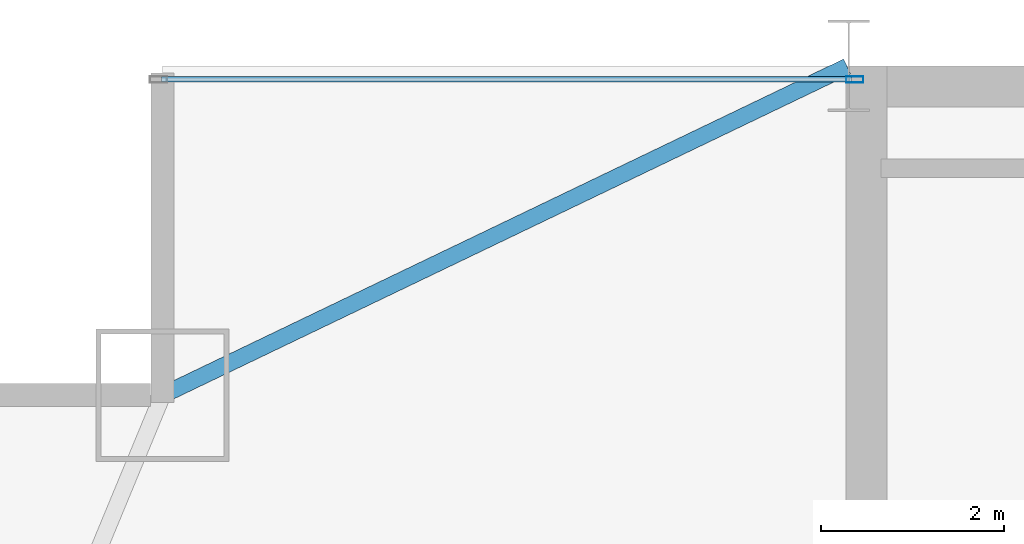
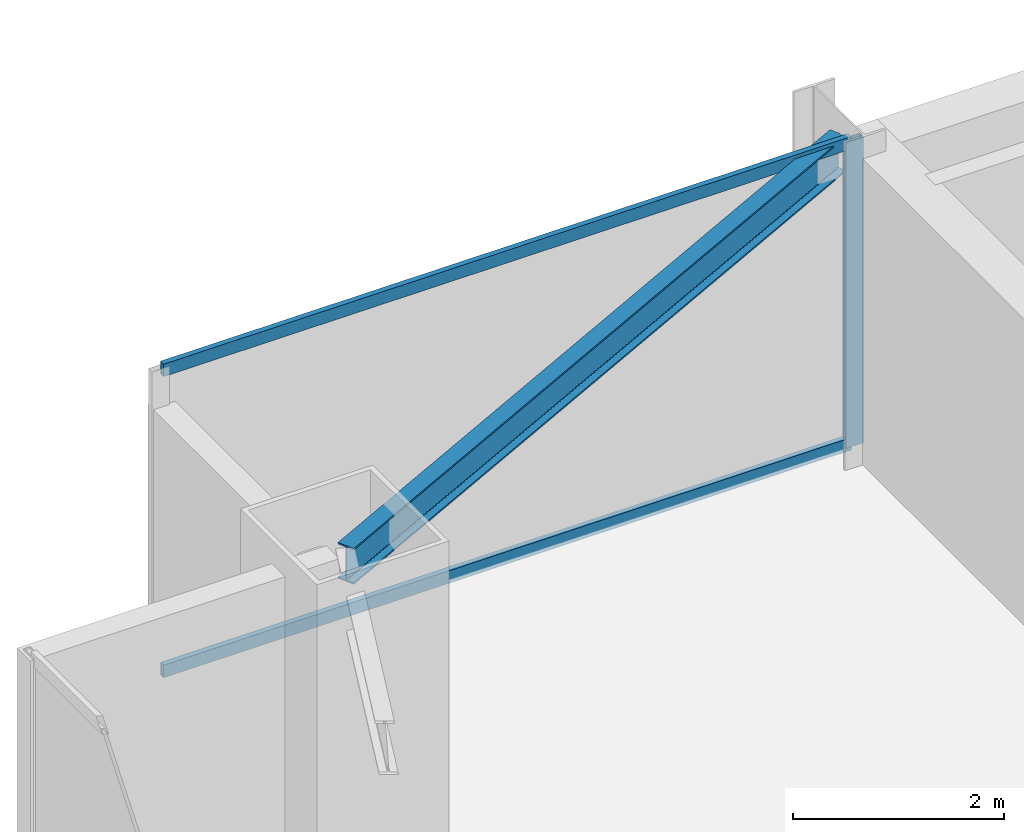
# One storey, part 22 of 33: 3 members, 1 beam, 1 element without a shape of its own.
"""IFC4 building model written with IfcOpenShell, lengths in metres."""

from ifc_helpers import new_model, si_unit, direction, frame, origin, origin_2d, place, context, subcontext, project, spatial, hollow_rectangle, i_section, extrude, source, transform, mapped, material, layer, layer_set, material_profile, profile_set, type_object, type_shapes, element, aggregate, save


model = new_model("IFC4")

# Units and contexts
model_context = context("Model", 3, precision=1e-05, world=origin(), true_north=direction((0.0, 1.0)))
body_context = subcontext(model_context, "Body", "Model", "MODEL_VIEW")
ifc_project = project(units=[si_unit("LENGTHUNIT", "METRE"), si_unit("AREAUNIT", "SQUARE_METRE"), si_unit("VOLUMEUNIT", "CUBIC_METRE"), si_unit("PLANEANGLEUNIT", "RADIAN"), si_unit("MASSUNIT", "GRAM", prefix="KILO")], contexts=[model_context])

# Site, building, storey
site_placement = place(None, origin())
site = spatial("IfcSite", under=ifc_project, at=site_placement, CompositionType="ELEMENT")
building_placement = place(site_placement, origin())
building = spatial("IfcBuilding", under=site, at=building_placement, Name="Varnel Quay Broadcast Tower", CompositionType="ELEMENT")
storey_placement = place(building_placement, frame((0.0, 0.0, 129.60009765625)))
storey = spatial("IfcBuildingStorey", under=building, at=storey_placement, Name="L31", CompositionType="ELEMENT", Elevation=129.60009765625)

# Beam
ifc_material_1 = material(Name="Structural Steel CSA G40.21 350W", Category="steel")
ifc_material_profile_1 = material_profile(ifc_material_1, i_section(OverallWidth=0.180908203125, OverallDepth=0.4169921875, WebThickness=0.010986328125, FlangeThickness=0.018310546875, FilletRadius=0.011962890625, at=origin_2d()), Name="W410X85")
ifc_profile_set_1 = profile_set([ifc_material_profile_1], Name="Structural Steel CSA G40.21 350W")
beam_type = type_object("IfcBeamType", Name="Beam_W410X85", PredefinedType="SPANDREL", material=ifc_profile_set_1)
shared_shape_1 = source(origin(), body_context, "Body", "SweptSolid", [
    extrude(i_section(OverallWidth=0.180908203125, OverallDepth=0.4169921875, WebThickness=0.010986328125, FlangeThickness=0.018310546875, FilletRadius=0.011962890625, at=origin_2d()), origin(), (0.0, 0.0, 1.0), 8.279296875),
])
type_shapes(beam_type, [shared_shape_1])
beam_placement = place(storey_placement, frame((8.117919921875, 43.208740234375, 3.34130859375), z_axis=(0.901535021024, 0.432706142626, 0.0), x_axis=(-0.432706142626, 0.901535021024, 0.0)))
element("IfcBeam", 1, at=beam_placement, inside=storey, type_object=beam_type, Name="L31 NW Tie Spandrel", PredefinedType="SPANDREL", context=body_context, shape_type="MappedRepresentation", body=[
    mapped(shared_shape_1, transform((0.0, 0.0, 0.0), x_axis=(1.0, 0.0, 0.0), y_axis=(0.0, 1.0, 0.0), z_axis=(0.0, 0.0, 1.0), scale=1.0)),
])

# Curtain wall, members
ifc_material_2 = material(Name="Anodised Bronze Aluminium 6063-T6", Category="aluminium")
ifc_layer = layer(ifc_material_2, 0.18994140625, Name="Anodised Bronze Aluminium 6063-T6")
ifc_layer_set = layer_set([ifc_layer], Name="Anodised Bronze Aluminium 6063-T6")
curtain_wall_type = type_object("IfcCurtainWallType", Name="CW_LowerTower", PredefinedType="NOTDEFINED", material=ifc_layer_set)
curtain_wall_placement = place(storey_placement, origin())
curtain_wall = element("IfcCurtainWall", 2, at=curtain_wall_placement, inside=storey, type_object=curtain_wall_type, Name="L31 NW Wing Curtain Wall", PredefinedType="NOTDEFINED")
ifc_material_profile_2 = material_profile(ifc_material_2, hollow_rectangle(XDim=0.06005859375, YDim=0.14501953125, WallThickness=0.00341796875, at=origin_2d()), Name="ALU60X145X3.5")
ifc_profile_set_2 = profile_set([ifc_material_profile_2], Name="Anodised Bronze Aluminium 6063-T6")
member_type_1 = type_object("IfcMemberType", Name="Tran_CWS-02", PredefinedType="USERDEFINED", material=ifc_profile_set_2)
shared_shape_2 = source(origin(), body_context, "Body", "SweptSolid", [
    extrude(hollow_rectangle(XDim=0.06005859375, YDim=0.14501953125, WallThickness=0.00341796875, at=origin_2d()), origin(), (0.0, 0.0, 1.0), 7.539794921875),
])
type_shapes(member_type_1, [shared_shape_2])
member_1_placement = place(storey_placement, frame((8.090087890625, 46.64990234375, 0.02978515625), z_axis=(1.0, 0.0, 0.0), x_axis=(0.0, 1.0, 0.0)))
member_1 = element("IfcMember", 3, at=member_1_placement, type_object=member_type_1, Name="CWS-02 transom 1.1", ObjectType="TRANSOM", PredefinedType="USERDEFINED", context=body_context, shape_type="MappedRepresentation", body=[
    mapped(shared_shape_2, transform((0.0, 0.0, 0.0), x_axis=(1.0, 0.0, 0.0), y_axis=(0.0, 1.0, 0.0), z_axis=(0.0, 0.0, 1.0), scale=1.0)),
])
member_2_placement = place(storey_placement, frame((8.090087890625, 46.64990234375, 3.52001953125), z_axis=(1.0, 0.0, 0.0), x_axis=(0.0, 1.0, 0.0)))
member_2 = element("IfcMember", 4, at=member_2_placement, type_object=member_type_1, Name="CWS-02 transom 1.2", ObjectType="TRANSOM", PredefinedType="USERDEFINED", context=body_context, shape_type="MappedRepresentation", body=[
    mapped(shared_shape_2, transform((0.0, 0.0, 0.0), x_axis=(1.0, 0.0, 0.0), y_axis=(0.0, 1.0, 0.0), z_axis=(0.0, 0.0, 1.0), scale=1.0)),
])
ifc_material_profile_3 = material_profile(ifc_material_2, hollow_rectangle(XDim=0.070068359375, YDim=0.18994140625, WallThickness=0.00390625, at=origin_2d()), Name="ALU70X190X4")
ifc_profile_set_3 = profile_set([ifc_material_profile_3], Name="Anodised Bronze Aluminium 6063-T6")
member_type_2 = type_object("IfcMemberType", Name="Mull_CWS-02", PredefinedType="MULLION", material=ifc_profile_set_3)
shared_shape_3 = source(origin(), body_context, "Body", "SweptSolid", [
    extrude(hollow_rectangle(XDim=0.070068359375, YDim=0.18994140625, WallThickness=0.00390625, at=origin_2d()), origin(), (0.0, 0.0, 1.0), 3.5498046875),
])
type_shapes(member_type_2, [shared_shape_3])
member_3_placement = place(storey_placement, frame((15.6650390625, 46.64990234375, 0.0), z_axis=(0.0, 0.0, 1.0), x_axis=(0.0, 1.0, 0.0)))
member_3 = element("IfcMember", 5, at=member_3_placement, type_object=member_type_2, Name="CWS-02 mullion 2", PredefinedType="MULLION", context=body_context, shape_type="MappedRepresentation", body=[
    mapped(shared_shape_3, transform((0.0, 0.0, 0.0), x_axis=(1.0, 0.0, 0.0), y_axis=(0.0, 1.0, 0.0), z_axis=(0.0, 0.0, 1.0), scale=1.0)),
])
aggregate(curtain_wall, [member_3, member_1, member_2])

save(model, "model.ifc")
